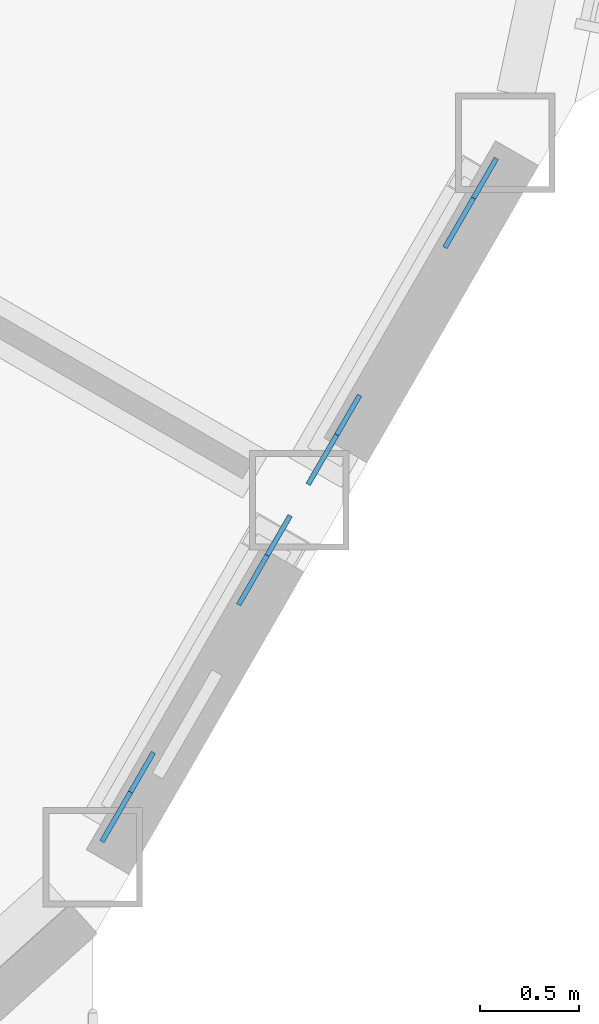
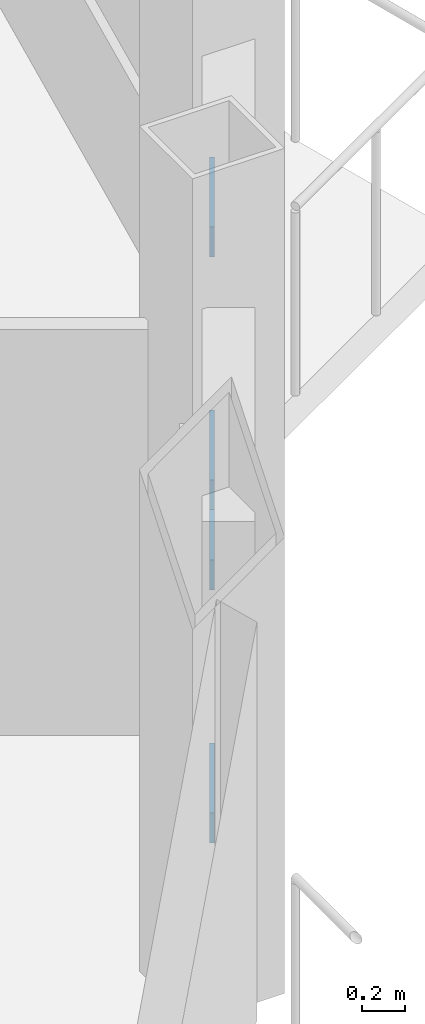
# One storey, part 20 of 26: 4 discrete accessories.
"""IFC4 building model written with IfcOpenShell, lengths in metres."""

import ifcopenshell
import ifcopenshell.guid

model = None  # the IFC model being written
_history = None  # IfcOwnerHistory: only IFC2X3 demands one
_inside = {}  # id of a spatial element -> (the spatial element, [elements in it])
_under = {}  # id of a project, library or spatial element -> (it, [spatial elements below it])
_declared = {}  # id of a project -> (the project, [libraries it declares])
_typed = {}  # id of a type object -> (the type object, [elements of that type])
_made_of = {}  # id of a material, layer set ... -> (it, [elements and type objects made of it])


def new_model(schema):
    """Start an empty IFC model of exactly this schema.

    Asked for "IFC4X3", IfcOpenShell would pick the latest addendum, in which some entities
    have other attributes; the version numbers below select the first issue.
    IFC2X3 requires an IfcOwnerHistory on every rooted entity: one is made here for all.
    """
    global model, _history
    if schema == "IFC4X3":
        model = ifcopenshell.file(schema_version=(4, 3, 0, 0))
    else:
        model = ifcopenshell.file(schema=schema)
    _inside.clear()
    _under.clear()
    _declared.clear()
    _typed.clear()
    _made_of.clear()
    _history = None
    if model.schema == "IFC2X3":
        org = make("IfcOrganization", Name="unknown")
        user = make(
            "IfcPersonAndOrganization",
            ThePerson=make("IfcPerson", FamilyName="unknown"),
            TheOrganization=org,
        )
        app = make(
            "IfcApplication",
            ApplicationDeveloper=org,
            Version="unknown",
            ApplicationFullName="unknown",
            ApplicationIdentifier="unknown",
        )
        _history = make(
            "IfcOwnerHistory",
            OwningUser=user,
            OwningApplication=app,
            ChangeAction="ADDED",
            CreationDate=0,
        )
    return model


def make(cls, **values):
    """One entity of the class cls with the attributes given. An attribute that is None is left unset."""
    return model.create_entity(
        cls, **{name: value for name, value in values.items() if value is not None}
    )


def rooted(cls, **values):
    """An entity with a GlobalId (a new one), such as an element, a storey or a relation."""
    return make(cls, GlobalId=ifcopenshell.guid.new(), OwnerHistory=_history, **values)


def si_unit(unit_type, name, prefix=None):
    """IfcSIUnit, for example si_unit("LENGTHUNIT", "METRE", prefix="MILLI")."""
    return make("IfcSIUnit", UnitType=unit_type, Prefix=prefix, Name=name)


def assignment(units):
    """IfcUnitAssignment: the units of a project."""
    return None if units is None else make("IfcUnitAssignment", Units=units)


def point(xyz):
    """IfcCartesianPoint."""
    return None if xyz is None else make("IfcCartesianPoint", Coordinates=xyz)


def direction(xyz):
    """IfcDirection."""
    return None if xyz is None else make("IfcDirection", DirectionRatios=xyz)


def frame(location, z_axis=None, x_axis=None):
    """IfcAxis2Placement3D, a coordinate frame: its origin and axes. An axis left out is left unset."""
    return make(
        "IfcAxis2Placement3D",
        Location=point(location),
        Axis=direction(z_axis),
        RefDirection=direction(x_axis),
    )


def frame_2d(location, x_axis=None):
    """IfcAxis2Placement2D, a coordinate frame in the plane: its origin and x axis."""
    return make(
        "IfcAxis2Placement2D", Location=point(location), RefDirection=direction(x_axis)
    )


def origin():
    """The frame at (0, 0, 0) with its axes left unset."""
    return frame((0.0, 0.0, 0.0))


def origin_2d():
    """The frame at (0, 0) in the plane with its x axis left unset."""
    return frame_2d((0.0, 0.0))


def place(relative_to, where):
    """IfcLocalPlacement: puts the frame where relative to a parent placement (None: the world)."""
    return make(
        "IfcLocalPlacement", PlacementRelTo=relative_to, RelativePlacement=where
    )


def context(
    kind, dimensions, precision=None, world=None, true_north=None, identifier=None
):
    """IfcGeometricRepresentationContext, for example the 3D "Model" context."""
    return make(
        "IfcGeometricRepresentationContext",
        ContextIdentifier=identifier,
        ContextType=kind,
        CoordinateSpaceDimension=dimensions,
        Precision=precision,
        WorldCoordinateSystem=world,
        TrueNorth=true_north,
    )


def subcontext(parent, identifier, kind, view, scale=None):
    """IfcGeometricRepresentationSubContext, for example "Body" below "Model"."""
    return make(
        "IfcGeometricRepresentationSubContext",
        ContextIdentifier=identifier,
        ContextType=kind,
        ParentContext=parent,
        TargetScale=scale,
        TargetView=view,
    )


def project(units=None, contexts=None):
    """IfcProject with its units and contexts."""
    return rooted(
        "IfcProject",
        Name="project",
        RepresentationContexts=contexts,
        UnitsInContext=assignment(units),
    )


def spatial(cls, under=None, at=None, **own):
    """A site, building, storey or space (cls), placed at a placement, below another one or the project."""
    s = rooted(cls, ObjectPlacement=at, **own)
    if under is not None:
        _under.setdefault(under.id(), (under, []))[1].append(s)
    return s


def profile(cls, at=None, kind="AREA", **sizes):
    """A parametric profile (cls). Its sizes go by their IFC names, for example OverallWidth=200.0."""
    return make(cls, ProfileType=kind, Position=at, **sizes)


def rectangle(**sizes):
    """IfcRectangleProfileDef."""
    return profile("IfcRectangleProfileDef", **sizes)


def extrude(swept, where, along, depth):
    """IfcExtrudedAreaSolid: the profile swept, set in the frame where, extruded along a direction by depth."""
    return make(
        "IfcExtrudedAreaSolid",
        SweptArea=swept,
        Position=where,
        ExtrudedDirection=direction(along),
        Depth=depth,
    )


def shape(context_of_items, identifier, shape_type, items):
    """IfcShapeRepresentation: the items that make up one representation, for example the "Body"."""
    return make(
        "IfcShapeRepresentation",
        ContextOfItems=context_of_items,
        RepresentationIdentifier=identifier,
        RepresentationType=shape_type,
        Items=items,
    )


def material(Name=None, Category=None):
    """IfcMaterial."""
    return make("IfcMaterial", Name=Name, Category=Category)


def material_profile(
    of_material, cross_section, Name=None, Category=None, Priority=None
):
    """IfcMaterialProfile: a cross section and its material."""
    return make(
        "IfcMaterialProfile",
        Name=Name,
        Material=of_material,
        Profile=cross_section,
        Priority=Priority,
        Category=Category,
    )


def profile_set(profiles, Name=None, composite=None):
    """IfcMaterialProfileSet."""
    return make(
        "IfcMaterialProfileSet",
        Name=Name,
        MaterialProfiles=profiles,
        CompositeProfile=composite,
    )


def made_of(thing, what):
    """Note that an element or type object is made of a material, layer set ...; save() writes the relation."""
    if what is not None:
        _made_of.setdefault(what.id(), (what, []))[1].append(thing)
    return thing


def type_object(cls, material=None, **own):
    """A type object (cls), such as IfcWallType, which elements share."""
    return made_of(rooted(cls, **own), material)


def element(
    cls,
    number,
    at=None,
    inside=None,
    cuts=None,
    type_object=None,
    material=None,
    context=None,
    identifier="Body",
    shape_type=None,
    held_by="IfcProductDefinitionShape",
    body=None,
    shapes=None,
    **own,
):
    """One element of the class cls, such as IfcWall. Its Tag is "e" and its number.

    at: its placement. inside: the storey or other place that contains it. cuts: it is an
    opening in that element (IfcRelVoidsElement). A single representation is given by context,
    identifier, shape_type and body (its items); several are given by shapes. held_by: the class
    of the entity that holds the representations. save() writes the other relations.
    """
    e = rooted(cls, Tag="e%d" % number, ObjectPlacement=at, **own)
    if body is not None:
        shapes = [shape(context, identifier, shape_type, body)]
    if shapes is not None:
        e.Representation = make(held_by, Representations=shapes)
    if inside is not None:
        _inside.setdefault(inside.id(), (inside, []))[1].append(e)
    if cuts is not None:
        rooted(
            "IfcRelVoidsElement", RelatingBuildingElement=cuts, RelatedOpeningElement=e
        )
    if type_object is not None:
        _typed.setdefault(type_object.id(), (type_object, []))[1].append(e)
    return made_of(e, material)


def aggregate(whole, parts):
    """IfcRelAggregates: a whole, such as a stair, and the parts it consists of."""
    return rooted("IfcRelAggregates", RelatingObject=whole, RelatedObjects=parts)


def save(model, path):
    """Write the relations noted so far, then the file.

    IfcRelAggregates (storeys below a building ...), IfcRelContainedInSpatialStructure (elements
    in a storey), IfcRelDefinesByType, IfcRelAssociatesMaterial and IfcRelDeclares: one each for
    every whole, place, type object, material and project.
    """
    for whole, parts in _under.values():
        aggregate(whole, parts)
    for where, things in _inside.values():
        rooted(
            "IfcRelContainedInSpatialStructure",
            RelatedElements=things,
            RelatingStructure=where,
        )
    for kind, things in _typed.values():
        rooted("IfcRelDefinesByType", RelatedObjects=things, RelatingType=kind)
    for what, things in _made_of.values():
        rooted("IfcRelAssociatesMaterial", RelatedObjects=things, RelatingMaterial=what)
    for by, libraries in _declared.values():
        rooted("IfcRelDeclares", RelatingContext=by, RelatedDefinitions=libraries)
    model.write(path)


model = new_model("IFC4")

# Units and contexts
model_context = context("Model", 3, precision=1e-05, world=origin(), true_north=direction((0.0, 1.0)))
body_context = subcontext(model_context, "Body", "Model", "MODEL_VIEW")
ifc_project = project(units=[si_unit("LENGTHUNIT", "METRE"), si_unit("AREAUNIT", "SQUARE_METRE"), si_unit("VOLUMEUNIT", "CUBIC_METRE"), si_unit("PLANEANGLEUNIT", "RADIAN"), si_unit("MASSUNIT", "GRAM", prefix="KILO")], contexts=[model_context])

# Site, building, storey
site_placement = place(None, origin())
site = spatial("IfcSite", under=ifc_project, at=site_placement, CompositionType="ELEMENT")
building_placement = place(site_placement, origin())
building = spatial("IfcBuilding", under=site, at=building_placement, Name="Cormorant Prow Tower", CompositionType="ELEMENT")
storey_placement = place(building_placement, frame((0.0, 0.0, 384.800048828125)))
storey = spatial("IfcBuildingStorey", under=building, at=storey_placement, Name="L87", CompositionType="ELEMENT", Elevation=384.800048828125)

# Discrete accessories
ifc_material = material(Name="Structural steel ASTM A500 Gr C", Category="steel")
ifc_material_profile = material_profile(ifc_material, rectangle(XDim=0.02490234375, YDim=0.405029296875, at=origin_2d()), Name="Gusset plate 25x405")
ifc_profile_set = profile_set([ifc_material_profile], Name="Structural steel ASTM A500 Gr C")
discrete_accessory_type = type_object("IfcDiscreteAccessoryType", Name="Gusset plate 25x405", PredefinedType="BRACKET", material=ifc_profile_set)
for number, where, z_axis, x_axis, name in (
    (1, (26.246826171875, -16.978271484375, 0.941162109375), (-0.411595697368, -0.712269842394, -0.568560158228), (0.865832418869, -0.500334110806, 0.0), "Gusset plate GP3 L87.ESE00.g0"),
    (2, (26.7900390625, -16.037109375, 1.692626953125), (0.411595697368, 0.712269842394, 0.568560158228), (-0.865832418869, 0.500334110806, 0.0), "Gusset plate GP3 L87.ESE00.g1"),
    (3, (27.28369140625, -15.182373046875, 0.941162109375), (-0.411595697368, -0.712269842394, -0.568560158228), (0.865832418869, -0.500334110806, 0.0), "Gusset plate GP3 L87.ESE01.g0"),
    (4, (27.8271484375, -14.2412109375, 1.692626953125), (0.411016012482, 0.712474276306, 0.568723344945), (-0.866199709737, 0.499697971631, 0.0), "Gusset plate GP3 L87.ESE01.g1"),
):
    element("IfcDiscreteAccessory", number, at=place(storey_placement, frame(where, z_axis=z_axis, x_axis=x_axis)), inside=storey, type_object=discrete_accessory_type, Name=name, PredefinedType="BRACKET", context=body_context, shape_type="SweptSolid", body=[
        extrude(rectangle(XDim=0.02490234375, YDim=0.405029296875, at=origin_2d()), origin(), (0.0, 0.0, 1.0), 0.349853515625),
    ])

save(model, "model.ifc")
